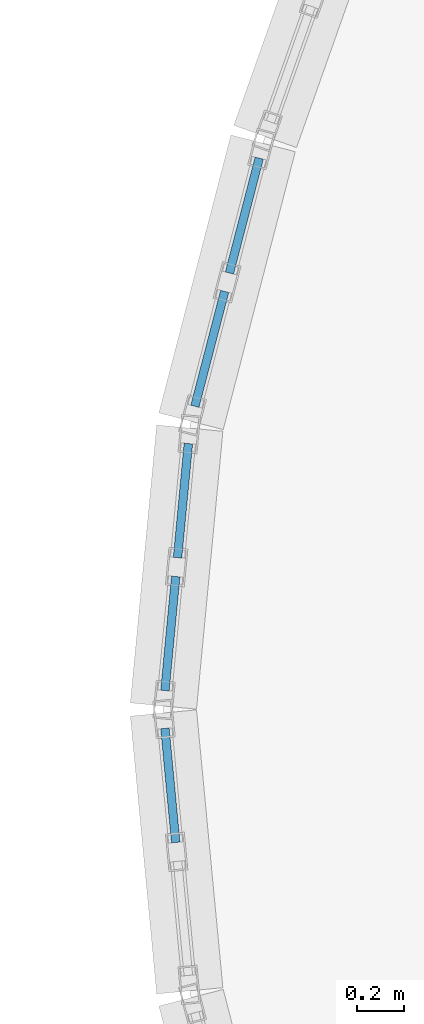
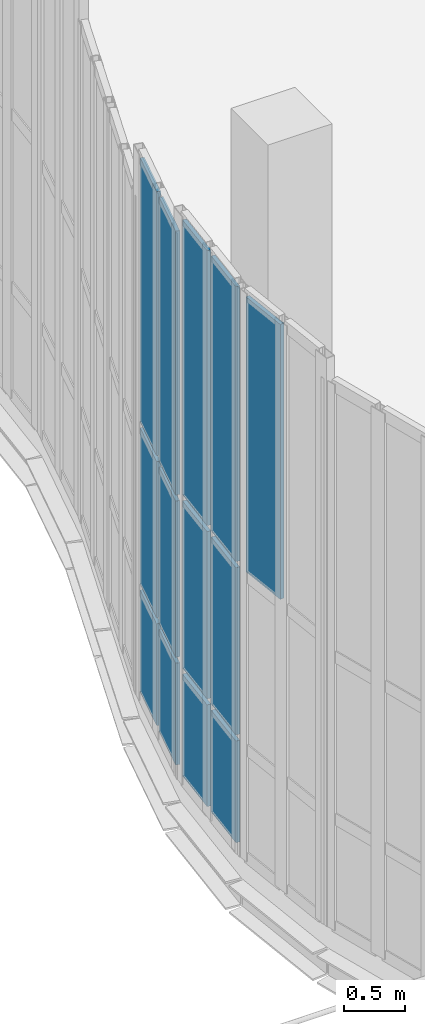
# One storey, part 71 of 105: 13 plates, 3 elements without a shape of their own.
"""IFC4 building model written with IfcOpenShell, lengths in metres."""

from ifc_helpers import new_model, si_unit, direction, frame, origin, origin_2d, place, context, subcontext, project, spatial, rectangle, extrude, material, layer, layer_set, type_object, element, aggregate, save


model = new_model("IFC4")

# Units and contexts
model_context = context("Model", 3, precision=1e-05, world=origin(), true_north=direction((0.0, 1.0)))
body_context = subcontext(model_context, "Body", "Model", "MODEL_VIEW")
ifc_project = project(units=[si_unit("LENGTHUNIT", "METRE"), si_unit("AREAUNIT", "SQUARE_METRE"), si_unit("VOLUMEUNIT", "CUBIC_METRE"), si_unit("PLANEANGLEUNIT", "RADIAN"), si_unit("MASSUNIT", "GRAM", prefix="KILO"), si_unit("THERMODYNAMICTEMPERATUREUNIT", "KELVIN"), si_unit("POWERUNIT", "WATT")], contexts=[model_context])

# Site, building, storey
site_placement = place(None, origin())
site = spatial("IfcSite", under=ifc_project, at=site_placement, CompositionType="ELEMENT")
building_placement = place(site_placement, origin())
building = spatial("IfcBuilding", under=site, at=building_placement, Name="Kaldorven Railside Theatre", CompositionType="ELEMENT")
storey_placement = place(building_placement, frame((0.0, 0.0, 9.89990234375)))
storey = spatial("IfcBuildingStorey", under=building, at=storey_placement, Name="L02", CompositionType="ELEMENT", Elevation=9.89990234375)

# Curtain wall, plate
ifc_material = material(Name="Low-E laminated solar-control glass", Category="glass")
ifc_layer_1 = layer(ifc_material, 0.159912109375, Name="Low-E laminated solar-control glass")
ifc_layer_set_1 = layer_set([ifc_layer_1], Name="Low-E laminated solar-control glass")
curtain_wall_type_1 = type_object("IfcCurtainWallType", Name="CWT-24", PredefinedType="USERDEFINED", material=ifc_layer_set_1)
curtain_wall_1_placement = place(storey_placement, origin())
curtain_wall_1 = element("IfcCurtainWall", 1, at=curtain_wall_1_placement, inside=storey, type_object=curtain_wall_type_1, Name="Sinusoidal Fluted Curtain Wall CW-L02-W03", ObjectType="FLUTED GLAZING", PredefinedType="USERDEFINED")
ifc_layer_2 = layer(ifc_material, 0.035888671875, Name="Low-E laminated solar-control glass")
ifc_layer_set_2 = layer_set([ifc_layer_2], Name="Low-E laminated solar-control glass")
plate_type = type_object("IfcPlateType", Name="CWP-CREST36", PredefinedType="CURTAIN_PANEL", material=ifc_layer_set_2)
plate_1_placement = place(storey_placement, frame((70.38037109375, 44.080078125, 2.85009765625), z_axis=(0.0, 0.0, 1.0), x_axis=(-0.094491973758, 0.995525623425, 0.0)))
plate_1 = element("IfcPlate", 2, at=plate_1_placement, type_object=plate_type, Name="CW-L02-W03 panel 2.3", PredefinedType="CURTAIN_PANEL", context=body_context, shape_type="SweptSolid", body=[
    extrude(rectangle(XDim=0.482666015625, YDim=0.035888671875, at=origin_2d()), origin(), (0.0, 0.0, 1.0), 2.72998046875),
])
aggregate(curtain_wall_1, [plate_1])

# Curtain wall, plates
curtain_wall_2_placement = place(storey_placement, origin())
curtain_wall_2 = element("IfcCurtainWall", 3, at=curtain_wall_2_placement, inside=storey, type_object=curtain_wall_type_1, Name="Sinusoidal Fluted Curtain Wall CW-L02-W04", ObjectType="FLUTED GLAZING", PredefinedType="USERDEFINED")
plate_2_placement = place(storey_placement, frame((70.38037109375, 44.719970703125, 0.06005859375), z_axis=(0.0, 0.0, 1.0), x_axis=(0.094491973758, 0.995525623425, 0.0)))
plate_2 = element("IfcPlate", 4, at=plate_2_placement, type_object=plate_type, Name="CW-L02-W04 panel 1.1", PredefinedType="CURTAIN_PANEL", context=body_context, shape_type="SweptSolid", body=[
    extrude(rectangle(XDim=0.482666015625, YDim=0.035888671875, at=origin_2d()), origin(), (0.0, 0.0, 1.0), 1.010009765625),
])
plate_3_placement = place(storey_placement, frame((70.38037109375, 44.719970703125, 1.13037109375), z_axis=(0.0, 0.0, 1.0), x_axis=(0.094491973758, 0.995525623425, 0.0)))
plate_3 = element("IfcPlate", 5, at=plate_3_placement, type_object=plate_type, Name="CW-L02-W04 panel 1.2", PredefinedType="CURTAIN_PANEL", context=body_context, shape_type="SweptSolid", body=[
    extrude(rectangle(XDim=0.482666015625, YDim=0.035888671875, at=origin_2d()), origin(), (0.0, 0.0, 1.0), 1.659912109375),
])
plate_4_placement = place(storey_placement, frame((70.38037109375, 44.719970703125, 2.85009765625), z_axis=(0.0, 0.0, 1.0), x_axis=(0.094491973758, 0.995525623425, 0.0)))
plate_4 = element("IfcPlate", 6, at=plate_4_placement, type_object=plate_type, Name="CW-L02-W04 panel 1.3", PredefinedType="CURTAIN_PANEL", context=body_context, shape_type="SweptSolid", body=[
    extrude(rectangle(XDim=0.482666015625, YDim=0.035888671875, at=origin_2d()), origin(), (0.0, 0.0, 1.0), 2.72998046875),
])
plate_5_placement = place(storey_placement, frame((70.43359375, 45.280029296875, 0.06005859375), z_axis=(0.0, 0.0, 1.0), x_axis=(0.094491973758, 0.995525623425, 0.0)))
plate_5 = element("IfcPlate", 7, at=plate_5_placement, type_object=plate_type, Name="CW-L02-W04 panel 2.1", PredefinedType="CURTAIN_PANEL", context=body_context, shape_type="SweptSolid", body=[
    extrude(rectangle(XDim=0.482666015625, YDim=0.035888671875, at=origin_2d()), origin(), (0.0, 0.0, 1.0), 1.010009765625),
])
plate_6_placement = place(storey_placement, frame((70.43359375, 45.280029296875, 1.13037109375), z_axis=(0.0, 0.0, 1.0), x_axis=(0.094491973758, 0.995525623425, 0.0)))
plate_6 = element("IfcPlate", 8, at=plate_6_placement, type_object=plate_type, Name="CW-L02-W04 panel 2.2", PredefinedType="CURTAIN_PANEL", context=body_context, shape_type="SweptSolid", body=[
    extrude(rectangle(XDim=0.482666015625, YDim=0.035888671875, at=origin_2d()), origin(), (0.0, 0.0, 1.0), 1.659912109375),
])
plate_7_placement = place(storey_placement, frame((70.43359375, 45.280029296875, 2.85009765625), z_axis=(0.0, 0.0, 1.0), x_axis=(0.094491973758, 0.995525623425, 0.0)))
plate_7 = element("IfcPlate", 9, at=plate_7_placement, type_object=plate_type, Name="CW-L02-W04 panel 2.3", PredefinedType="CURTAIN_PANEL", context=body_context, shape_type="SweptSolid", body=[
    extrude(rectangle(XDim=0.482666015625, YDim=0.035888671875, at=origin_2d()), origin(), (0.0, 0.0, 1.0), 2.72998046875),
])
aggregate(curtain_wall_2, [plate_2, plate_3, plate_4, plate_5, plate_6, plate_7])

ifc_layer_3 = layer(ifc_material, 0.159912109375, Name="Low-E laminated solar-control glass")
ifc_layer_set_3 = layer_set([ifc_layer_3], Name="Low-E laminated solar-control glass")
curtain_wall_type_2 = type_object("IfcCurtainWallType", Name="CWT-23", PredefinedType="USERDEFINED", material=ifc_layer_set_3)
curtain_wall_3_placement = place(storey_placement, origin())
curtain_wall_3 = element("IfcCurtainWall", 10, at=curtain_wall_3_placement, inside=storey, type_object=curtain_wall_type_2, Name="Sinusoidal Fluted Curtain Wall CW-L02-W05", ObjectType="FLUTED GLAZING", PredefinedType="USERDEFINED")
plate_8_placement = place(storey_placement, frame((70.546630859375, 45.91943359375, 0.06005859375), z_axis=(0.0, 0.0, 1.0), x_axis=(0.250953760326, 0.967999075505, 0.0)))
plate_8 = element("IfcPlate", 11, at=plate_8_placement, type_object=plate_type, Name="CW-L02-W05 panel 1.1", PredefinedType="CURTAIN_PANEL", context=body_context, shape_type="SweptSolid", body=[
    extrude(rectangle(XDim=0.499755859375, YDim=0.035888671875, at=origin_2d()), origin(), (0.0, 0.0, 1.0), 1.010009765625),
])
plate_9_placement = place(storey_placement, frame((70.546630859375, 45.91943359375, 1.1298828125), z_axis=(0.0, 0.0, 1.0), x_axis=(0.250953760326, 0.967999075505, 0.0)))
plate_9 = element("IfcPlate", 12, at=plate_9_placement, type_object=plate_type, Name="CW-L02-W05 panel 1.2", PredefinedType="CURTAIN_PANEL", context=body_context, shape_type="SweptSolid", body=[
    extrude(rectangle(XDim=0.499755859375, YDim=0.035888671875, at=origin_2d()), origin(), (0.0, 0.0, 1.0), 1.550048828125),
])
plate_10_placement = place(storey_placement, frame((70.546630859375, 45.91943359375, 2.739990234375), z_axis=(0.0, 0.0, 1.0), x_axis=(0.250953760326, 0.967999075505, 0.0)))
plate_10 = element("IfcPlate", 13, at=plate_10_placement, type_object=plate_type, Name="CW-L02-W05 panel 1.3", PredefinedType="CURTAIN_PANEL", context=body_context, shape_type="SweptSolid", body=[
    extrude(rectangle(XDim=0.499755859375, YDim=0.035888671875, at=origin_2d()), origin(), (0.0, 0.0, 1.0), 2.6201171875),
])
plate_11_placement = place(storey_placement, frame((70.692138671875, 46.480712890625, 0.06005859375), z_axis=(0.0, 0.0, 1.0), x_axis=(0.250953760326, 0.967999075505, 0.0)))
plate_11 = element("IfcPlate", 14, at=plate_11_placement, type_object=plate_type, Name="CW-L02-W05 panel 2.1", PredefinedType="CURTAIN_PANEL", context=body_context, shape_type="SweptSolid", body=[
    extrude(rectangle(XDim=0.499755859375, YDim=0.035888671875, at=origin_2d()), origin(), (0.0, 0.0, 1.0), 1.010009765625),
])
plate_12_placement = place(storey_placement, frame((70.692138671875, 46.480712890625, 1.1298828125), z_axis=(0.0, 0.0, 1.0), x_axis=(0.250953760326, 0.967999075505, 0.0)))
plate_12 = element("IfcPlate", 15, at=plate_12_placement, type_object=plate_type, Name="CW-L02-W05 panel 2.2", PredefinedType="CURTAIN_PANEL", context=body_context, shape_type="SweptSolid", body=[
    extrude(rectangle(XDim=0.499755859375, YDim=0.035888671875, at=origin_2d()), origin(), (0.0, 0.0, 1.0), 1.550048828125),
])
plate_13_placement = place(storey_placement, frame((70.692138671875, 46.480712890625, 2.739990234375), z_axis=(0.0, 0.0, 1.0), x_axis=(0.250953760326, 0.967999075505, 0.0)))
plate_13 = element("IfcPlate", 16, at=plate_13_placement, type_object=plate_type, Name="CW-L02-W05 panel 2.3", PredefinedType="CURTAIN_PANEL", context=body_context, shape_type="SweptSolid", body=[
    extrude(rectangle(XDim=0.499755859375, YDim=0.035888671875, at=origin_2d()), origin(), (0.0, 0.0, 1.0), 2.6201171875),
])
aggregate(curtain_wall_3, [plate_8, plate_9, plate_10, plate_11, plate_12, plate_13])

save(model, "model.ifc")
